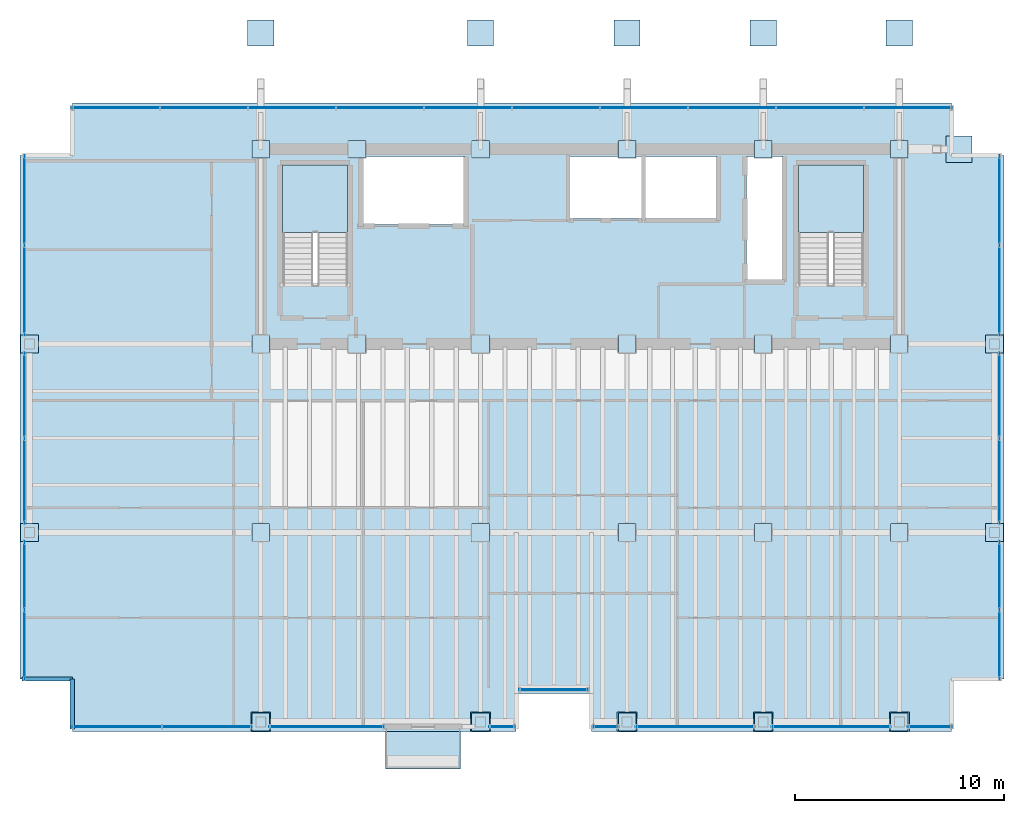
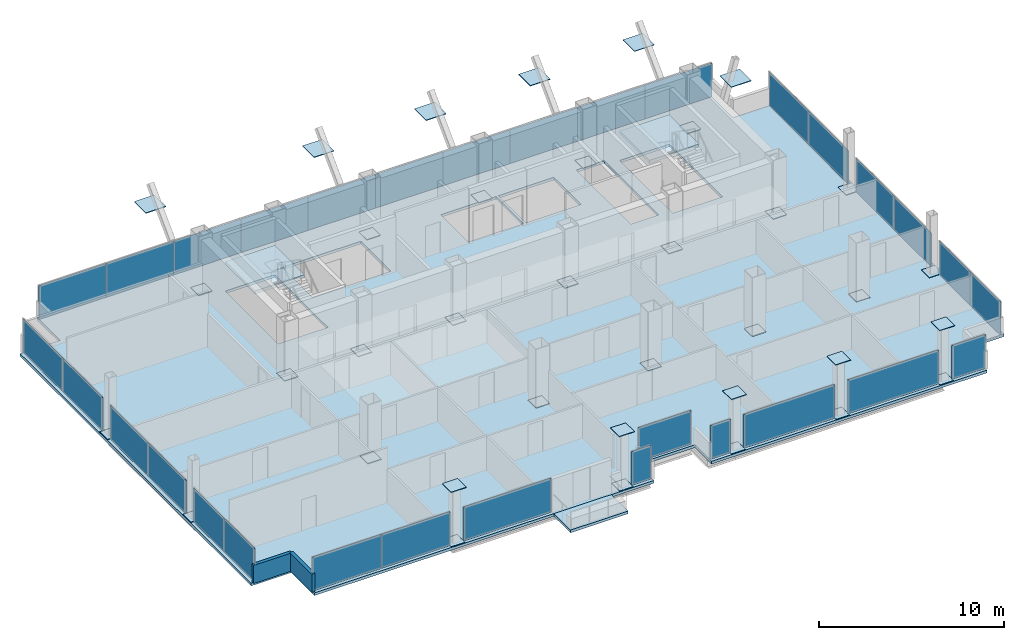
# One storey, part 18 of 22: 68 plates, 4 slabs, 2 walls, 6 openings, 17 elements without a shape of their own.
"""IFC4 building model written with IfcOpenShell, lengths in metres."""

from ifc_helpers import new_model, si_unit, direction, frame, frame_2d, origin, origin_2d, place, context, subcontext, project, spatial, polyline, rectangle, outline, extrude, material, layer, layer_set, type_object, element, aggregate, save


model = new_model("IFC4")

# Units and contexts
model_context = context("Model", 3, precision=1e-05, world=origin(), true_north=direction((0.0, 1.0)))
body_context = subcontext(model_context, "Body", "Model", "MODEL_VIEW")
ifc_project = project(units=[si_unit("LENGTHUNIT", "METRE"), si_unit("AREAUNIT", "SQUARE_METRE"), si_unit("VOLUMEUNIT", "CUBIC_METRE"), si_unit("PLANEANGLEUNIT", "RADIAN"), si_unit("MASSUNIT", "GRAM", prefix="KILO")], contexts=[model_context])

# Site, building, storey
site_placement = place(None, origin())
site = spatial("IfcSite", under=ifc_project, at=site_placement, CompositionType="ELEMENT")
building_placement = place(site_placement, origin())
building = spatial("IfcBuilding", under=site, at=building_placement, Name="Noeulbin Bourse Tower", CompositionType="ELEMENT")
storey_placement = place(building_placement, frame((0.0, 0.0, 138.300048828125)))
storey = spatial("IfcBuildingStorey", under=building, at=storey_placement, Name="L34", CompositionType="ELEMENT", Elevation=138.300048828125)

# Curtain wall, plate
ifc_material_1 = material(Name="Dark Tinted Triple Glazing", Category="glass")
curtain_wall_type = type_object("IfcCurtainWallType", Name="CW-SYS-3", PredefinedType="NOTDEFINED", material=ifc_material_1)
curtain_wall_1_placement = place(storey_placement, origin())
curtain_wall_1 = element("IfcCurtainWall", 1, at=curtain_wall_1_placement, inside=storey, type_object=curtain_wall_type, Name="Unitised Curtain Wall CW-L34-SREC", PredefinedType="NOTDEFINED")
ifc_layer_1 = layer(ifc_material_1, 0.035888671875)
ifc_layer_set_1 = layer_set([ifc_layer_1], Name="Dark Tinted Triple Glazing")
plate_type_1 = type_object("IfcPlateType", Name="CW-SYS-3-PNL", PredefinedType="CURTAIN_PANEL", material=ifc_layer_set_1)
plate_1_placement = place(storey_placement, frame((27.5, 12.47998046875, 0.0), z_axis=(0.0, 0.0, 1.0), x_axis=(1.0, 0.0, 0.0)))
plate_1 = element("IfcPlate", 2, at=plate_1_placement, type_object=plate_type_1, Name="Glazed Curtain Panel CW-L34-SREC-P00", PredefinedType="CURTAIN_PANEL", context=body_context, shape_type="SweptSolid", body=[
    extrude(rectangle(XDim=3.300048828125, YDim=0.035888671875, at=origin_2d()), origin(), (0.0, 0.0, 1.0), 2.219970703125),
])
aggregate(curtain_wall_1, [plate_1])

# Curtain wall, plates
curtain_wall_2_placement = place(storey_placement, origin())
curtain_wall_2 = element("IfcCurtainWall", 3, at=curtain_wall_2_placement, inside=storey, type_object=curtain_wall_type, Name="Unitised Curtain Wall CW-L34-S1-S1", PredefinedType="NOTDEFINED")
plate_2_placement = place(storey_placement, frame((6.632568359375, 10.719970703125, 0.0), z_axis=(0.0, 0.0, 1.0), x_axis=(1.0, 0.0, 0.0)))
plate_2 = element("IfcPlate", 4, at=plate_2_placement, type_object=plate_type_1, Name="Glazed Curtain Panel CW-L34-S1-S1-P00", PredefinedType="CURTAIN_PANEL", context=body_context, shape_type="SweptSolid", body=[
    extrude(rectangle(XDim=4.304931640625, YDim=0.035888671875, at=origin_2d()), origin(), (0.0, 0.0, 1.0), 2.219970703125),
])
plate_3_placement = place(storey_placement, frame((10.9375, 10.719970703125, 0.0), z_axis=(0.0, 0.0, 1.0), x_axis=(1.0, 0.0, 0.0)))
plate_3 = element("IfcPlate", 5, at=plate_3_placement, type_object=plate_type_1, Name="Glazed Curtain Panel CW-L34-S1-S1-P01", PredefinedType="CURTAIN_PANEL", context=body_context, shape_type="SweptSolid", body=[
    extrude(rectangle(XDim=4.304931640625, YDim=0.035888671875, at=origin_2d()), origin(), (0.0, 0.0, 1.0), 2.219970703125),
])
aggregate(curtain_wall_2, [plate_2, plate_3])

# Curtain wall, plate
curtain_wall_3_placement = place(storey_placement, origin())
curtain_wall_3 = element("IfcCurtainWall", 6, at=curtain_wall_3_placement, inside=storey, type_object=curtain_wall_type, Name="Unitised Curtain Wall CW-L34-S1-S2", PredefinedType="NOTDEFINED")
plate_4_placement = place(storey_placement, frame((16.655029296875, 10.719970703125, 0.0), z_axis=(0.0, 0.0, 1.0), x_axis=(1.0, 0.0, 0.0)))
plate_4 = element("IfcPlate", 7, at=plate_4_placement, type_object=plate_type_1, Name="Glazed Curtain Panel CW-L34-S1-S2-P00", PredefinedType="CURTAIN_PANEL", context=body_context, shape_type="SweptSolid", body=[
    extrude(rectangle(XDim=5.489990234375, YDim=0.035888671875, at=origin_2d()), origin(), (0.0, 0.0, 1.0), 2.219970703125),
])
aggregate(curtain_wall_3, [plate_4])

curtain_wall_4_placement = place(storey_placement, origin())
curtain_wall_4 = element("IfcCurtainWall", 8, at=curtain_wall_4_placement, inside=storey, type_object=curtain_wall_type, Name="Unitised Curtain Wall CW-L34-S2", PredefinedType="NOTDEFINED")
plate_5_placement = place(storey_placement, frame((25.030029296875, 10.719970703125, 0.0), z_axis=(0.0, 0.0, 1.0), x_axis=(1.0, 0.0, 0.0)))
plate_5 = element("IfcPlate", 9, at=plate_5_placement, type_object=plate_type_1, Name="Glazed Curtain Panel CW-L34-S2-P00", PredefinedType="CURTAIN_PANEL", context=body_context, shape_type="SweptSolid", body=[
    extrude(rectangle(XDim=1.239990234375, YDim=0.035888671875, at=origin_2d()), origin(), (0.0, 0.0, 1.0), 2.219970703125),
])
aggregate(curtain_wall_4, [plate_5])

curtain_wall_5_placement = place(storey_placement, origin())
curtain_wall_5 = element("IfcCurtainWall", 10, at=curtain_wall_5_placement, inside=storey, type_object=curtain_wall_type, Name="Unitised Curtain Wall CW-L34-S3-S1", PredefinedType="NOTDEFINED")
plate_6_placement = place(storey_placement, frame((29.969970703125, 10.719970703125, 0.0), z_axis=(0.0, 0.0, 1.0), x_axis=(1.0, 0.0, 0.0)))
plate_6 = element("IfcPlate", 11, at=plate_6_placement, type_object=plate_type_1, Name="Glazed Curtain Panel CW-L34-S3-S1-P00", PredefinedType="CURTAIN_PANEL", context=body_context, shape_type="SweptSolid", body=[
    extrude(rectangle(XDim=1.239990234375, YDim=0.035888671875, at=origin_2d()), origin(), (0.0, 0.0, 1.0), 2.219970703125),
])
aggregate(curtain_wall_5, [plate_6])

curtain_wall_6_placement = place(storey_placement, origin())
curtain_wall_6 = element("IfcCurtainWall", 12, at=curtain_wall_6_placement, inside=storey, type_object=curtain_wall_type, Name="Unitised Curtain Wall CW-L34-S3-S2", PredefinedType="NOTDEFINED")
plate_7_placement = place(storey_placement, frame((34.25, 10.719970703125, 0.0), z_axis=(0.0, 0.0, 1.0), x_axis=(1.0, 0.0, 0.0)))
plate_7 = element("IfcPlate", 13, at=plate_7_placement, type_object=plate_type_1, Name="Glazed Curtain Panel CW-L34-S3-S2-P00", PredefinedType="CURTAIN_PANEL", context=body_context, shape_type="SweptSolid", body=[
    extrude(rectangle(XDim=5.679931640625, YDim=0.035888671875, at=origin_2d()), origin(), (0.0, 0.0, 1.0), 2.219970703125),
])
aggregate(curtain_wall_6, [plate_7])

curtain_wall_7_placement = place(storey_placement, origin())
curtain_wall_7 = element("IfcCurtainWall", 14, at=curtain_wall_7_placement, inside=storey, type_object=curtain_wall_type, Name="Unitised Curtain Wall CW-L34-S3-S3", PredefinedType="NOTDEFINED")
plate_8_placement = place(storey_placement, frame((40.75, 10.719970703125, 0.0), z_axis=(0.0, 0.0, 1.0), x_axis=(1.0, 0.0, 0.0)))
plate_8 = element("IfcPlate", 15, at=plate_8_placement, type_object=plate_type_1, Name="Glazed Curtain Panel CW-L34-S3-S3-P00", PredefinedType="CURTAIN_PANEL", context=body_context, shape_type="SweptSolid", body=[
    extrude(rectangle(XDim=5.679931640625, YDim=0.035888671875, at=origin_2d()), origin(), (0.0, 0.0, 1.0), 2.219970703125),
])
aggregate(curtain_wall_7, [plate_8])

curtain_wall_8_placement = place(storey_placement, origin())
curtain_wall_8 = element("IfcCurtainWall", 16, at=curtain_wall_8_placement, inside=storey, type_object=curtain_wall_type, Name="Unitised Curtain Wall CW-L34-S3-S4", PredefinedType="NOTDEFINED")
plate_9_placement = place(storey_placement, frame((45.465087890625, 10.719970703125, 0.0), z_axis=(0.0, 0.0, 1.0), x_axis=(1.0, 0.0, 0.0)))
plate_9 = element("IfcPlate", 17, at=plate_9_placement, type_object=plate_type_1, Name="Glazed Curtain Panel CW-L34-S3-S4-P00", PredefinedType="CURTAIN_PANEL", context=body_context, shape_type="SweptSolid", body=[
    extrude(rectangle(XDim=2.110107421875, YDim=0.035888671875, at=origin_2d()), origin(), (0.0, 0.0, 1.0), 2.219970703125),
])
aggregate(curtain_wall_8, [plate_9])

# Curtain wall, plates
curtain_wall_9_placement = place(storey_placement, origin())
curtain_wall_9 = element("IfcCurtainWall", 18, at=curtain_wall_9_placement, inside=storey, type_object=curtain_wall_type, Name="Unitised Curtain Wall CW-L34-N", PredefinedType="NOTDEFINED")
plate_10_placement = place(storey_placement, frame((6.58203125, 40.280029296875, 0.0), z_axis=(0.0, 0.0, 1.0), x_axis=(1.0, 0.0, 0.0)))
plate_10 = element("IfcPlate", 19, at=plate_10_placement, type_object=plate_type_1, Name="Glazed Curtain Panel CW-L34-N-P00", PredefinedType="CURTAIN_PANEL", context=body_context, shape_type="SweptSolid", body=[
    extrude(rectangle(XDim=4.2041015625, YDim=0.035888671875, at=origin_2d()), origin(), (0.0, 0.0, 1.0), 2.219970703125),
])
plate_11_placement = place(storey_placement, frame((10.785888671875, 40.280029296875, 0.0), z_axis=(0.0, 0.0, 1.0), x_axis=(1.0, 0.0, 0.0)))
plate_11 = element("IfcPlate", 20, at=plate_11_placement, type_object=plate_type_1, Name="Glazed Curtain Panel CW-L34-N-P01", PredefinedType="CURTAIN_PANEL", context=body_context, shape_type="SweptSolid", body=[
    extrude(rectangle(XDim=4.2041015625, YDim=0.035888671875, at=origin_2d()), origin(), (0.0, 0.0, 1.0), 2.219970703125),
])
plate_12_placement = place(storey_placement, frame((14.989990234375, 40.280029296875, 0.0), z_axis=(0.0, 0.0, 1.0), x_axis=(1.0, 0.0, 0.0)))
plate_12 = element("IfcPlate", 21, at=plate_12_placement, type_object=plate_type_1, Name="Glazed Curtain Panel CW-L34-N-P02", PredefinedType="CURTAIN_PANEL", context=body_context, shape_type="SweptSolid", body=[
    extrude(rectangle(XDim=4.2041015625, YDim=0.035888671875, at=origin_2d()), origin(), (0.0, 0.0, 1.0), 2.219970703125),
])
plate_13_placement = place(storey_placement, frame((19.194091796875, 40.280029296875, 0.0), z_axis=(0.0, 0.0, 1.0), x_axis=(1.0, 0.0, 0.0)))
plate_13 = element("IfcPlate", 22, at=plate_13_placement, type_object=plate_type_1, Name="Glazed Curtain Panel CW-L34-N-P03", PredefinedType="CURTAIN_PANEL", context=body_context, shape_type="SweptSolid", body=[
    extrude(rectangle(XDim=4.2041015625, YDim=0.035888671875, at=origin_2d()), origin(), (0.0, 0.0, 1.0), 2.219970703125),
])
plate_14_placement = place(storey_placement, frame((23.39794921875, 40.280029296875, 0.0), z_axis=(0.0, 0.0, 1.0), x_axis=(1.0, 0.0, 0.0)))
plate_14 = element("IfcPlate", 23, at=plate_14_placement, type_object=plate_type_1, Name="Glazed Curtain Panel CW-L34-N-P04", PredefinedType="CURTAIN_PANEL", context=body_context, shape_type="SweptSolid", body=[
    extrude(rectangle(XDim=4.2041015625, YDim=0.035888671875, at=origin_2d()), origin(), (0.0, 0.0, 1.0), 2.219970703125),
])
plate_15_placement = place(storey_placement, frame((27.60205078125, 40.280029296875, 0.0), z_axis=(0.0, 0.0, 1.0), x_axis=(1.0, 0.0, 0.0)))
plate_15 = element("IfcPlate", 24, at=plate_15_placement, type_object=plate_type_1, Name="Glazed Curtain Panel CW-L34-N-P05", PredefinedType="CURTAIN_PANEL", context=body_context, shape_type="SweptSolid", body=[
    extrude(rectangle(XDim=4.2041015625, YDim=0.035888671875, at=origin_2d()), origin(), (0.0, 0.0, 1.0), 2.219970703125),
])
plate_16_placement = place(storey_placement, frame((31.805908203125, 40.280029296875, 0.0), z_axis=(0.0, 0.0, 1.0), x_axis=(1.0, 0.0, 0.0)))
plate_16 = element("IfcPlate", 25, at=plate_16_placement, type_object=plate_type_1, Name="Glazed Curtain Panel CW-L34-N-P06", PredefinedType="CURTAIN_PANEL", context=body_context, shape_type="SweptSolid", body=[
    extrude(rectangle(XDim=4.2041015625, YDim=0.035888671875, at=origin_2d()), origin(), (0.0, 0.0, 1.0), 2.219970703125),
])
plate_17_placement = place(storey_placement, frame((36.010009765625, 40.280029296875, 0.0), z_axis=(0.0, 0.0, 1.0), x_axis=(1.0, 0.0, 0.0)))
plate_17 = element("IfcPlate", 26, at=plate_17_placement, type_object=plate_type_1, Name="Glazed Curtain Panel CW-L34-N-P07", PredefinedType="CURTAIN_PANEL", context=body_context, shape_type="SweptSolid", body=[
    extrude(rectangle(XDim=4.2041015625, YDim=0.035888671875, at=origin_2d()), origin(), (0.0, 0.0, 1.0), 2.219970703125),
])
plate_18_placement = place(storey_placement, frame((40.214111328125, 40.280029296875, 0.0), z_axis=(0.0, 0.0, 1.0), x_axis=(1.0, 0.0, 0.0)))
plate_18 = element("IfcPlate", 27, at=plate_18_placement, type_object=plate_type_1, Name="Glazed Curtain Panel CW-L34-N-P08", PredefinedType="CURTAIN_PANEL", context=body_context, shape_type="SweptSolid", body=[
    extrude(rectangle(XDim=4.2041015625, YDim=0.035888671875, at=origin_2d()), origin(), (0.0, 0.0, 1.0), 2.219970703125),
])
plate_19_placement = place(storey_placement, frame((44.41796875, 40.280029296875, 0.0), z_axis=(0.0, 0.0, 1.0), x_axis=(1.0, 0.0, 0.0)))
plate_19 = element("IfcPlate", 28, at=plate_19_placement, type_object=plate_type_1, Name="Glazed Curtain Panel CW-L34-N-P09", PredefinedType="CURTAIN_PANEL", context=body_context, shape_type="SweptSolid", body=[
    extrude(rectangle(XDim=4.2041015625, YDim=0.035888671875, at=origin_2d()), origin(), (0.0, 0.0, 1.0), 2.219970703125),
])
aggregate(curtain_wall_9, [plate_10, plate_11, plate_12, plate_13, plate_14, plate_15, plate_16, plate_17, plate_18, plate_19])

curtain_wall_10_placement = place(storey_placement, origin())
curtain_wall_10 = element("IfcCurtainWall", 29, at=curtain_wall_10_placement, inside=storey, type_object=curtain_wall_type, Name="Unitised Curtain Wall CW-L34-W-S1", PredefinedType="NOTDEFINED")
plate_20_placement = place(storey_placement, frame((2.219970703125, 14.632568359375, 0.0), z_axis=(0.0, 0.0, 1.0), x_axis=(0.0, 1.0, 0.0)))
plate_20 = element("IfcPlate", 30, at=plate_20_placement, type_object=plate_type_1, Name="Glazed Curtain Panel CW-L34-W-S1-P00", PredefinedType="CURTAIN_PANEL", context=body_context, shape_type="SweptSolid", body=[
    extrude(rectangle(XDim=3.304931640625, YDim=0.035888671875, at=origin_2d()), origin(), (0.0, 0.0, 1.0), 2.219970703125),
])
plate_21_placement = place(storey_placement, frame((2.219970703125, 17.9375, 0.0), z_axis=(0.0, 0.0, 1.0), x_axis=(0.0, 1.0, 0.0)))
plate_21 = element("IfcPlate", 31, at=plate_21_placement, type_object=plate_type_1, Name="Glazed Curtain Panel CW-L34-W-S1-P01", PredefinedType="CURTAIN_PANEL", context=body_context, shape_type="SweptSolid", body=[
    extrude(rectangle(XDim=3.304931640625, YDim=0.035888671875, at=origin_2d()), origin(), (0.0, 0.0, 1.0), 2.219970703125),
])
aggregate(curtain_wall_10, [plate_20, plate_21])

curtain_wall_11_placement = place(storey_placement, origin())
curtain_wall_11 = element("IfcCurtainWall", 32, at=curtain_wall_11_placement, inside=storey, type_object=curtain_wall_type, Name="Unitised Curtain Wall CW-L34-W-S2", PredefinedType="NOTDEFINED")
plate_22_placement = place(storey_placement, frame((2.219970703125, 22.455078125, 0.0), z_axis=(0.0, 0.0, 1.0), x_axis=(0.0, 1.0, 0.0)))
plate_22 = element("IfcPlate", 33, at=plate_22_placement, type_object=plate_type_1, Name="Glazed Curtain Panel CW-L34-W-S2-P00", PredefinedType="CURTAIN_PANEL", context=body_context, shape_type="SweptSolid", body=[
    extrude(rectangle(XDim=4.090087890625, YDim=0.035888671875, at=origin_2d()), origin(), (0.0, 0.0, 1.0), 2.219970703125),
])
plate_23_placement = place(storey_placement, frame((2.219970703125, 26.544921875, 0.0), z_axis=(0.0, 0.0, 1.0), x_axis=(0.0, 1.0, 0.0)))
plate_23 = element("IfcPlate", 34, at=plate_23_placement, type_object=plate_type_1, Name="Glazed Curtain Panel CW-L34-W-S2-P01", PredefinedType="CURTAIN_PANEL", context=body_context, shape_type="SweptSolid", body=[
    extrude(rectangle(XDim=4.090087890625, YDim=0.035888671875, at=origin_2d()), origin(), (0.0, 0.0, 1.0), 2.219970703125),
])
aggregate(curtain_wall_11, [plate_22, plate_23])

curtain_wall_12_placement = place(storey_placement, origin())
curtain_wall_12 = element("IfcCurtainWall", 35, at=curtain_wall_12_placement, inside=storey, type_object=curtain_wall_type, Name="Unitised Curtain Wall CW-L34-W-S3", PredefinedType="NOTDEFINED")
plate_24_placement = place(storey_placement, frame((2.219970703125, 31.5625, 0.0), z_axis=(0.0, 0.0, 1.0), x_axis=(0.0, 1.0, 0.0)))
plate_24 = element("IfcPlate", 36, at=plate_24_placement, type_object=plate_type_1, Name="Glazed Curtain Panel CW-L34-W-S3-P00", PredefinedType="CURTAIN_PANEL", context=body_context, shape_type="SweptSolid", body=[
    extrude(rectangle(XDim=4.304931640625, YDim=0.035888671875, at=origin_2d()), origin(), (0.0, 0.0, 1.0), 2.219970703125),
])
plate_25_placement = place(storey_placement, frame((2.219970703125, 35.867431640625, 0.0), z_axis=(0.0, 0.0, 1.0), x_axis=(0.0, 1.0, 0.0)))
plate_25 = element("IfcPlate", 37, at=plate_25_placement, type_object=plate_type_1, Name="Glazed Curtain Panel CW-L34-W-S3-P01", PredefinedType="CURTAIN_PANEL", context=body_context, shape_type="SweptSolid", body=[
    extrude(rectangle(XDim=4.304931640625, YDim=0.035888671875, at=origin_2d()), origin(), (0.0, 0.0, 1.0), 2.219970703125),
])
aggregate(curtain_wall_12, [plate_24, plate_25])

curtain_wall_13_placement = place(storey_placement, origin())
curtain_wall_13 = element("IfcCurtainWall", 38, at=curtain_wall_13_placement, inside=storey, type_object=curtain_wall_type, Name="Unitised Curtain Wall CW-L34-E-S1", PredefinedType="NOTDEFINED")
plate_26_placement = place(storey_placement, frame((48.780029296875, 14.632568359375, 0.0), z_axis=(0.0, 0.0, 1.0), x_axis=(0.0, 1.0, 0.0)))
plate_26 = element("IfcPlate", 39, at=plate_26_placement, type_object=plate_type_1, Name="Glazed Curtain Panel CW-L34-E-S1-P00", PredefinedType="CURTAIN_PANEL", context=body_context, shape_type="SweptSolid", body=[
    extrude(rectangle(XDim=3.304931640625, YDim=0.035888671875, at=origin_2d()), origin(), (0.0, 0.0, 1.0), 2.219970703125),
])
plate_27_placement = place(storey_placement, frame((48.780029296875, 17.9375, 0.0), z_axis=(0.0, 0.0, 1.0), x_axis=(0.0, 1.0, 0.0)))
plate_27 = element("IfcPlate", 40, at=plate_27_placement, type_object=plate_type_1, Name="Glazed Curtain Panel CW-L34-E-S1-P01", PredefinedType="CURTAIN_PANEL", context=body_context, shape_type="SweptSolid", body=[
    extrude(rectangle(XDim=3.304931640625, YDim=0.035888671875, at=origin_2d()), origin(), (0.0, 0.0, 1.0), 2.219970703125),
])
aggregate(curtain_wall_13, [plate_26, plate_27])

curtain_wall_14_placement = place(storey_placement, origin())
curtain_wall_14 = element("IfcCurtainWall", 41, at=curtain_wall_14_placement, inside=storey, type_object=curtain_wall_type, Name="Unitised Curtain Wall CW-L34-E-S2", PredefinedType="NOTDEFINED")
plate_28_placement = place(storey_placement, frame((48.780029296875, 22.455078125, 0.0), z_axis=(0.0, 0.0, 1.0), x_axis=(0.0, 1.0, 0.0)))
plate_28 = element("IfcPlate", 42, at=plate_28_placement, type_object=plate_type_1, Name="Glazed Curtain Panel CW-L34-E-S2-P00", PredefinedType="CURTAIN_PANEL", context=body_context, shape_type="SweptSolid", body=[
    extrude(rectangle(XDim=4.090087890625, YDim=0.035888671875, at=origin_2d()), origin(), (0.0, 0.0, 1.0), 2.219970703125),
])
plate_29_placement = place(storey_placement, frame((48.780029296875, 26.544921875, 0.0), z_axis=(0.0, 0.0, 1.0), x_axis=(0.0, 1.0, 0.0)))
plate_29 = element("IfcPlate", 43, at=plate_29_placement, type_object=plate_type_1, Name="Glazed Curtain Panel CW-L34-E-S2-P01", PredefinedType="CURTAIN_PANEL", context=body_context, shape_type="SweptSolid", body=[
    extrude(rectangle(XDim=4.090087890625, YDim=0.035888671875, at=origin_2d()), origin(), (0.0, 0.0, 1.0), 2.219970703125),
])
aggregate(curtain_wall_14, [plate_28, plate_29])

curtain_wall_15_placement = place(storey_placement, origin())
curtain_wall_15 = element("IfcCurtainWall", 44, at=curtain_wall_15_placement, inside=storey, type_object=curtain_wall_type, Name="Unitised Curtain Wall CW-L34-E-S3", PredefinedType="NOTDEFINED")
plate_30_placement = place(storey_placement, frame((48.780029296875, 31.5625, 0.0), z_axis=(0.0, 0.0, 1.0), x_axis=(0.0, 1.0, 0.0)))
plate_30 = element("IfcPlate", 45, at=plate_30_placement, type_object=plate_type_1, Name="Glazed Curtain Panel CW-L34-E-S3-P00", PredefinedType="CURTAIN_PANEL", context=body_context, shape_type="SweptSolid", body=[
    extrude(rectangle(XDim=4.304931640625, YDim=0.035888671875, at=origin_2d()), origin(), (0.0, 0.0, 1.0), 2.219970703125),
])
plate_31_placement = place(storey_placement, frame((48.780029296875, 35.867431640625, 0.0), z_axis=(0.0, 0.0, 1.0), x_axis=(0.0, 1.0, 0.0)))
plate_31 = element("IfcPlate", 46, at=plate_31_placement, type_object=plate_type_1, Name="Glazed Curtain Panel CW-L34-E-S3-P01", PredefinedType="CURTAIN_PANEL", context=body_context, shape_type="SweptSolid", body=[
    extrude(rectangle(XDim=4.304931640625, YDim=0.035888671875, at=origin_2d()), origin(), (0.0, 0.0, 1.0), 2.219970703125),
])
aggregate(curtain_wall_15, [plate_30, plate_31])

# Plates
ifc_material_2 = material(Name="Steel S355", Category="steel")
ifc_layer_2 = layer(ifc_material_2, 0.030029296875)
ifc_layer_set_2 = layer_set([ifc_layer_2], Name="Steel S355")
plate_type_2 = type_object("IfcPlateType", Name="PLT-BN1", PredefinedType="USERDEFINED", material=ifc_layer_set_2)
for number, where, z_axis, x_axis, name in (
    (47, (13.5, 29.0, 0.0048828125), (0.0, 0.0, 1.0), (1.0, 0.0, 0.0), "Mega-Column Splice Plate BN1-L34-01"),
    (48, (13.5, 38.300048828125, 0.0048828125), (0.0, 0.0, 1.0), (1.0, 0.0, 0.0), "Mega-Column Splice Plate BN1-L34-02"),
    (49, (18.10009765625, 29.0, 0.0048828125), (0.0, 0.0, 1.0), (1.0, 0.0, 0.0), "Mega-Column Splice Plate BN1-L34-03"),
    (50, (18.10009765625, 38.300048828125, 0.0048828125), (0.0, 0.0, 1.0), (1.0, 0.0, 0.0), "Mega-Column Splice Plate BN1-L34-04"),
    (51, (24.0, 29.0, 0.0048828125), (0.0, 0.0, 1.0), (1.0, 0.0, 0.0), "Mega-Column Splice Plate BN1-L34-05"),
    (52, (24.0, 38.300048828125, 0.0048828125), (0.0, 0.0, 1.0), (1.0, 0.0, 0.0), "Mega-Column Splice Plate BN1-L34-06"),
    (53, (31.0, 29.0, 0.0048828125), (0.0, 0.0, 1.0), (1.0, 0.0, 0.0), "Mega-Column Splice Plate BN1-L34-07"),
    (54, (31.0, 38.300048828125, 0.0048828125), (0.0, 0.0, 1.0), (1.0, 0.0, 0.0), "Mega-Column Splice Plate BN1-L34-08"),
    (55, (37.5, 29.0, 0.0048828125), (0.0, 0.0, 1.0), (1.0, 0.0, 0.0), "Mega-Column Splice Plate BN1-L34-09"),
    (56, (37.5, 38.300048828125, 0.0048828125), (0.0, 0.0, 1.0), (1.0, 0.0, 0.0), "Mega-Column Splice Plate BN1-L34-10"),
    (57, (44.0, 29.0, 0.0048828125), (0.0, 0.0, 1.0), (1.0, 0.0, 0.0), "Mega-Column Splice Plate BN1-L34-11"),
    (58, (44.0, 38.300048828125, 0.0048828125), (0.0, 0.0, 1.0), (1.0, 0.0, 0.0), "Mega-Column Splice Plate BN1-L34-12"),
    (59, (13.5, 20.0, 0.0048828125), (0.0, 0.0, 1.0), (1.0, 0.0, 0.0), "Mega-Column Splice Plate BN1-L34-13"),
    (60, (24.0, 20.0, 0.0048828125), (0.0, 0.0, 1.0), (1.0, 0.0, 0.0), "Mega-Column Splice Plate BN1-L34-14"),
    (61, (31.0, 20.0, 0.0048828125), (0.0, 0.0, 1.0), (1.0, 0.0, 0.0), "Mega-Column Splice Plate BN1-L34-15"),
    (62, (37.5, 20.0, 0.0048828125), (0.0, 0.0, 1.0), (1.0, 0.0, 0.0), "Mega-Column Splice Plate BN1-L34-16"),
    (63, (44.0, 20.0, 0.0048828125), (0.0, 0.0, 1.0), (1.0, 0.0, 0.0), "Mega-Column Splice Plate BN1-L34-17"),
    (64, (2.449951171875, 20.0, 0.0048828125), (0.0, 0.0, 1.0), (1.0, 0.0, 0.0), "Perimeter Column Splice Plate BN1-L34-01"),
    (65, (2.449951171875, 29.0, 0.0048828125), (0.0, 0.0, 1.0), (1.0, 0.0, 0.0), "Perimeter Column Splice Plate BN1-L34-02"),
    (66, (13.5, 10.949951171875, 0.0048828125), (0.0, 0.0, 1.0), (1.0, 0.0, 0.0), "Perimeter Column Splice Plate BN1-L34-03"),
    (67, (24.0, 10.949951171875, 0.0048828125), (0.0, 0.0, 1.0), (1.0, 0.0, 0.0), "Perimeter Column Splice Plate BN1-L34-04"),
    (68, (31.0, 10.949951171875, 0.0048828125), (0.0, 0.0, 1.0), (1.0, 0.0, 0.0), "Perimeter Column Splice Plate BN1-L34-05"),
    (69, (37.5, 10.949951171875, 0.0048828125), (0.0, 0.0, 1.0), (1.0, 0.0, 0.0), "Perimeter Column Splice Plate BN1-L34-06"),
    (70, (44.0, 10.949951171875, 0.0048828125), (0.0, 0.0, 1.0), (1.0, 0.0, 0.0), "Perimeter Column Splice Plate BN1-L34-07"),
    (71, (48.550048828125, 20.0, 0.0048828125), (0.0, 0.0, 1.0), (1.0, 0.0, 0.0), "Perimeter Column Splice Plate BN1-L34-08"),
    (72, (48.550048828125, 29.0, 0.0048828125), (0.0, 0.0, 1.0), (1.0, 0.0, 0.0), "Perimeter Column Splice Plate BN1-L34-09"),
):
    element("IfcPlate", number, at=place(storey_placement, frame(where, z_axis=z_axis, x_axis=x_axis)), inside=storey, type_object=plate_type_2, Name=name, ObjectType="SPLICE PLATE", PredefinedType="USERDEFINED", context=body_context, shape_type="SweptSolid", body=[
        extrude(rectangle(XDim=0.85009765625, YDim=0.85009765625, at=origin_2d()), origin(), (0.0, 0.0, 1.0), 0.030029296875),
    ])
ifc_material_3 = material(Name="Steel S460", Category="steel")
ifc_layer_3 = layer(ifc_material_3, 0.0400390625)
ifc_layer_set_3 = layer_set([ifc_layer_3], Name="Steel S460")
plate_type_3 = type_object("IfcPlateType", Name="PLT-KN1", PredefinedType="USERDEFINED", material=ifc_layer_set_3)
for number, where, z_axis, x_axis, name in (
    (73, (46.85009765625, 38.300048828125, 2.260009765625), (0.0, 0.0, 1.0), (1.0, 0.0, 0.0), "Exoskeleton Kink Gusset KN1-01"),
    (74, (13.5, 43.85009765625, 2.260009765625), (0.0, 0.0, 1.0), (1.0, 0.0, 0.0), "Exoskeleton Kink Gusset KN1-02"),
    (75, (24.0, 43.85009765625, 2.260009765625), (0.0, 0.0, 1.0), (1.0, 0.0, 0.0), "Exoskeleton Kink Gusset KN1-03"),
    (76, (31.0, 43.85009765625, 2.260009765625), (0.0, 0.0, 1.0), (1.0, 0.0, 0.0), "Exoskeleton Kink Gusset KN1-04"),
    (77, (37.5, 43.85009765625, 2.260009765625), (0.0, 0.0, 1.0), (1.0, 0.0, 0.0), "Exoskeleton Kink Gusset KN1-05"),
    (78, (44.0, 43.85009765625, 2.260009765625), (0.0, 0.0, 1.0), (1.0, 0.0, 0.0), "Exoskeleton Kink Gusset KN1-06"),
):
    element("IfcPlate", number, at=place(storey_placement, frame(where, z_axis=z_axis, x_axis=x_axis)), inside=storey, type_object=plate_type_3, Name=name, ObjectType="GUSSET PLATE", PredefinedType="USERDEFINED", context=body_context, shape_type="SweptSolid", body=[
        extrude(rectangle(XDim=1.25, YDim=1.25, at=origin_2d()), origin(), (0.0, 0.0, 1.0), 0.0400390625),
    ])
ifc_layer_4 = layer(ifc_material_2, 0.031982421875)
ifc_layer_set_4 = layer_set([ifc_layer_4], Name="Steel S355")
plate_type_4 = type_object("IfcPlateType", Name="PLT-KN3", PredefinedType="USERDEFINED", material=ifc_layer_set_4)
for number, where, z_axis, x_axis, name in (
    (79, (13.5, 10.949951171875, 3.64404296875), (0.0, 0.0, 1.0), (1.0, 0.0, 0.0), "Perimeter Column End Cap Plate KN3-03"),
    (80, (24.0, 10.949951171875, 3.64404296875), (0.0, 0.0, 1.0), (1.0, 0.0, 0.0), "Perimeter Column End Cap Plate KN3-04"),
    (81, (31.0, 10.949951171875, 3.64404296875), (0.0, 0.0, 1.0), (1.0, 0.0, 0.0), "Perimeter Column End Cap Plate KN3-05"),
    (82, (37.5, 10.949951171875, 3.64404296875), (0.0, 0.0, 1.0), (1.0, 0.0, 0.0), "Perimeter Column End Cap Plate KN3-06"),
    (83, (44.0, 10.949951171875, 3.64404296875), (0.0, 0.0, 1.0), (1.0, 0.0, 0.0), "Perimeter Column End Cap Plate KN3-07"),
):
    element("IfcPlate", number, at=place(storey_placement, frame(where, z_axis=z_axis, x_axis=x_axis)), inside=storey, type_object=plate_type_4, Name=name, ObjectType="END PLATE", PredefinedType="USERDEFINED", context=body_context, shape_type="SweptSolid", body=[
        extrude(rectangle(XDim=0.949951171875, YDim=0.949951171875, at=origin_2d()), origin(), (0.0, 0.0, 1.0), 0.031982421875),
    ])

# Stair, slab
ifc_material_4 = material(Name="Concrete C40/50", Category="concrete")
stair_type = type_object("IfcStairType", Name="STR-CORE-1560", PredefinedType="HALF_TURN_STAIR", material=ifc_material_4)
stair_1_placement = place(storey_placement, origin())
stair_1 = element("IfcStair", 84, at=stair_1_placement, inside=storey, type_object=stair_type, Name="L34 ST-1", PredefinedType="HALF_TURN_STAIR")
ifc_layer_5 = layer(ifc_material_4, 0.199951171875)
ifc_layer_set_5 = layer_set([ifc_layer_5], Name="Concrete C40/50")
slab_type_1 = type_object("IfcSlabType", Name="SLB-LND-200", PredefinedType="LANDING", material=ifc_layer_set_5)
slab_1_placement = place(storey_placement, frame((0.0, 0.0, 1.75)))
slab_1 = element("IfcSlab", 85, at=slab_1_placement, type_object=slab_type_1, Name="ST-1 landing 1", PredefinedType="LANDING", context=body_context, shape_type="SweptSolid", body=[
    extrude(outline(polyline([(17.64990234375, 34.330078125), (17.64990234375, 37.5439453125), (14.550048828125, 37.5439453125), (14.550048828125, 34.330078125), (17.64990234375, 34.330078125)])), origin(), (0.0, 0.0, 1.0), 0.199951171875),
])
aggregate(stair_1, [slab_1])

stair_2_placement = place(storey_placement, origin())
stair_2 = element("IfcStair", 86, at=stair_2_placement, inside=storey, type_object=stair_type, Name="L34 ST-2", PredefinedType="HALF_TURN_STAIR")
slab_2_placement = place(storey_placement, frame((0.0, 0.0, 1.75)))
slab_2 = element("IfcSlab", 87, at=slab_2_placement, type_object=slab_type_1, Name="ST-2 landing 1", PredefinedType="LANDING", context=body_context, shape_type="SweptSolid", body=[
    extrude(outline(polyline([(42.280029296875, 34.330078125), (42.280029296875, 37.5439453125), (39.179931640625, 37.5439453125), (39.179931640625, 34.330078125), (42.280029296875, 34.330078125)])), origin(), (0.0, 0.0, 1.0), 0.199951171875),
])
aggregate(stair_2, [slab_2])

# Slab, openings
ifc_layer_6 = layer(ifc_material_4, 0.179931640625)
ifc_layer_set_6 = layer_set([ifc_layer_6], Name="Concrete C40/50")
slab_type_2 = type_object("IfcSlabType", Name="SLB-TYP-180", PredefinedType="FLOOR", material=ifc_layer_set_6)
slab_3_placement = place(storey_placement, frame((0.0, 0.0, -0.179931640625)))
slab_3 = element("IfcSlab", 88, at=slab_3_placement, inside=storey, type_object=slab_type_2, Name="Tower Structural Floor Slab L34", PredefinedType="FLOOR", context=body_context, shape_type="SweptSolid", body=[
    extrude(outline(polyline([(4.5, 10.5), (25.699951171875, 10.5), (25.699951171875, 12.300048828125), (29.300048828125, 12.300048828125), (29.300048828125, 10.5), (46.5, 10.5), (46.5, 13.0), (49.0, 13.0), (49.0, 38.0), (46.5, 38.0), (46.5, 40.5), (4.5, 40.5), (4.5, 38.0), (2.0, 38.0), (2.0, 13.0), (4.5, 13.0), (4.5, 10.5)]), holes=[polyline([(17.64990234375, 31.81005859375), (17.64990234375, 37.5439453125), (14.550048828125, 37.5439453125), (14.550048828125, 31.81005859375), (17.64990234375, 31.81005859375)]), polyline([(42.280029296875, 31.81005859375), (42.280029296875, 37.5439453125), (39.179931640625, 37.5439453125), (39.179931640625, 31.81005859375), (42.280029296875, 31.81005859375)]), polyline([(18.35009765625, 34.699951171875), (23.25, 34.699951171875), (23.25, 37.949951171875), (18.35009765625, 37.949951171875), (18.35009765625, 34.699951171875)]), polyline([(36.699951171875, 32.050048828125), (38.449951171875, 32.050048828125), (38.449951171875, 37.949951171875), (36.699951171875, 37.949951171875), (36.699951171875, 32.050048828125)]), polyline([(28.25, 35.0), (31.699951171875, 35.0), (31.699951171875, 37.949951171875), (28.25, 37.949951171875), (28.25, 35.0)]), polyline([(31.85009765625, 35.0), (35.300048828125, 35.0), (35.300048828125, 37.949951171875), (31.85009765625, 37.949951171875), (31.85009765625, 35.0)])]), origin(), (0.0, 0.0, 1.0), 0.179931640625),
])
opening_1_placement = place(slab_3_placement, frame((0.0, 0.0, -0.010009765625)))
element("IfcOpeningElement", 89, at=opening_1_placement, cuts=slab_3, Name="Slab Shaft Opening SLB-L34-TWR-1", PredefinedType="OPENING", context=body_context, shape_type="SweptSolid", body=[
    extrude(outline(polyline([(17.64990234375, 31.81005859375), (17.64990234375, 37.5439453125), (14.550048828125, 37.5439453125), (14.550048828125, 31.81005859375), (17.64990234375, 31.81005859375)])), origin(), (0.0, 0.0, 1.0), 0.199951171875),
])
opening_2_placement = place(slab_3_placement, frame((0.0, 0.0, -0.010009765625)))
element("IfcOpeningElement", 90, at=opening_2_placement, cuts=slab_3, Name="Slab Shaft Opening SLB-L34-TWR-2", PredefinedType="OPENING", context=body_context, shape_type="SweptSolid", body=[
    extrude(outline(polyline([(42.280029296875, 31.81005859375), (42.280029296875, 37.5439453125), (39.179931640625, 37.5439453125), (39.179931640625, 31.81005859375), (42.280029296875, 31.81005859375)])), origin(), (0.0, 0.0, 1.0), 0.199951171875),
])
opening_3_placement = place(slab_3_placement, frame((0.0, 0.0, -0.010009765625)))
element("IfcOpeningElement", 91, at=opening_3_placement, cuts=slab_3, Name="Slab Shaft Opening SLB-L34-TWR-3", PredefinedType="OPENING", context=body_context, shape_type="SweptSolid", body=[
    extrude(outline(polyline([(18.35009765625, 34.699951171875), (23.25, 34.699951171875), (23.25, 37.949951171875), (18.35009765625, 37.949951171875), (18.35009765625, 34.699951171875)])), origin(), (0.0, 0.0, 1.0), 0.199951171875),
])
opening_4_placement = place(slab_3_placement, frame((0.0, 0.0, -0.010009765625)))
element("IfcOpeningElement", 92, at=opening_4_placement, cuts=slab_3, Name="Slab Shaft Opening SLB-L34-TWR-4", PredefinedType="OPENING", context=body_context, shape_type="SweptSolid", body=[
    extrude(outline(polyline([(36.699951171875, 32.050048828125), (38.449951171875, 32.050048828125), (38.449951171875, 37.949951171875), (36.699951171875, 37.949951171875), (36.699951171875, 32.050048828125)])), origin(), (0.0, 0.0, 1.0), 0.199951171875),
])
opening_5_placement = place(slab_3_placement, frame((0.0, 0.0, -0.010009765625)))
element("IfcOpeningElement", 93, at=opening_5_placement, cuts=slab_3, Name="Slab Shaft Opening SLB-L34-TWR-5", PredefinedType="OPENING", context=body_context, shape_type="SweptSolid", body=[
    extrude(outline(polyline([(28.25, 35.0), (31.699951171875, 35.0), (31.699951171875, 37.949951171875), (28.25, 37.949951171875), (28.25, 35.0)])), origin(), (0.0, 0.0, 1.0), 0.199951171875),
])
opening_6_placement = place(slab_3_placement, frame((0.0, 0.0, -0.010009765625)))
element("IfcOpeningElement", 94, at=opening_6_placement, cuts=slab_3, Name="Slab Shaft Opening SLB-L34-TWR-6", PredefinedType="OPENING", context=body_context, shape_type="SweptSolid", body=[
    extrude(outline(polyline([(31.85009765625, 35.0), (35.300048828125, 35.0), (35.300048828125, 37.949951171875), (31.85009765625, 37.949951171875), (31.85009765625, 35.0)])), origin(), (0.0, 0.0, 1.0), 0.199951171875),
])

# Slab
slab_4_placement = place(storey_placement, frame((0.0, 0.0, -0.179931640625)))
element("IfcSlab", 95, at=slab_4_placement, inside=storey, type_object=slab_type_2, Name="Cantilevered Tree-Balcony Slab L34", PredefinedType="FLOOR", context=body_context, shape_type="SweptSolid", body=[
    extrude(outline(polyline([(19.449951171875, 8.699951171875), (23.050048828125, 8.699951171875), (23.050048828125, 10.5), (19.449951171875, 10.5), (19.449951171875, 8.699951171875)])), origin(), (0.0, 0.0, 1.0), 0.179931640625),
])

# Walls
ifc_layer_7 = layer(ifc_material_4, 0.199951171875)
ifc_layer_set_7 = layer_set([ifc_layer_7], Name="Concrete C40/50")
wall_type = type_object("IfcWallType", Name="WAL-PAR-200", PredefinedType="PARAPET", material=ifc_layer_set_7)
for number, where, z_axis, x_axis, name in (
    (96, (2.10009765625, 13.0, 0.0), (0.0, 0.0, 1.0), (1.0, 0.0, 0.0), "Corner Notch Parapet L34-SW1"),
    (97, (4.5, 13.0, 0.0), (0.0, 0.0, 1.0), (0.0, -1.0, 0.0), "Corner Notch Parapet L34-SW2"),
):
    element("IfcWall", number, at=place(storey_placement, frame(where, z_axis=z_axis, x_axis=x_axis)), inside=storey, type_object=wall_type, Name=name, PredefinedType="PARAPET", context=body_context, shape_type="SweptSolid", body=[
        extrude(rectangle(XDim=2.39990234375, YDim=0.199951171875, at=frame_2d((1.199951171875, 0.0))), origin(), (0.0, 0.0, 1.0), 1.199951171875),
    ])

save(model, "model.ifc")
